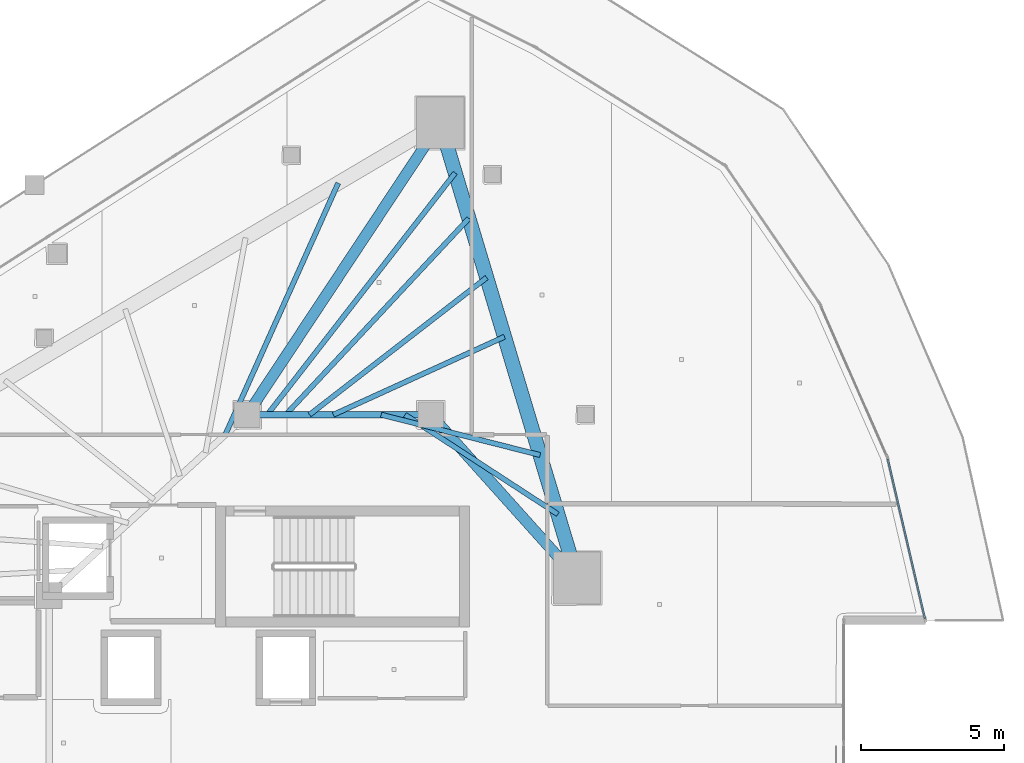
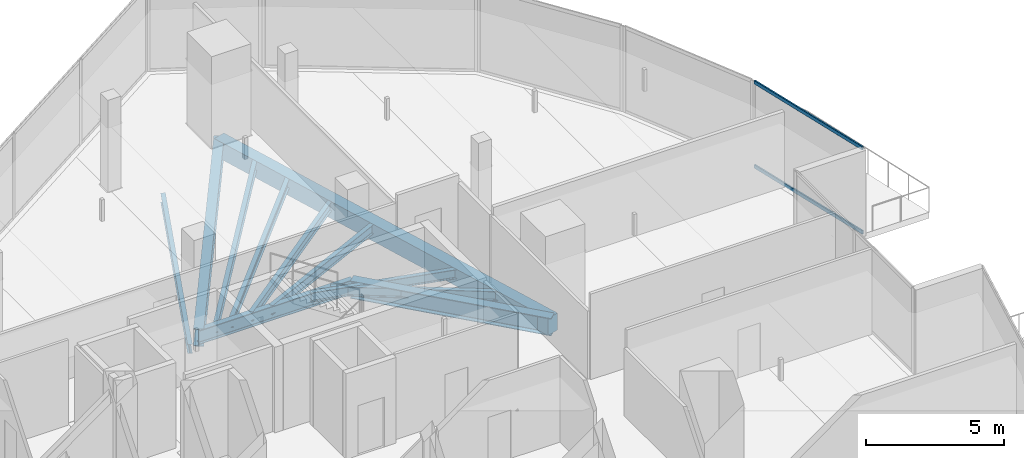
# One storey, part 17 of 30: 11 beams, 2 members, 1 element without a shape of its own.
"""IFC4 building model written with IfcOpenShell, lengths in metres."""

from ifc_helpers import new_model, si_unit, direction, frame, origin, origin_2d, place, context, subcontext, project, spatial, rectangle, hollow_rectangle, i_section, extrude, material, layer, layer_set, material_profile, profile_set, type_object, element, aggregate, save


model = new_model("IFC4")

# Units and contexts
model_context = context("Model", 3, precision=1e-05, world=origin(), true_north=direction((0.0, 1.0)))
body_context = subcontext(model_context, "Body", "Model", "MODEL_VIEW")
ifc_project = project(units=[si_unit("LENGTHUNIT", "METRE"), si_unit("AREAUNIT", "SQUARE_METRE"), si_unit("VOLUMEUNIT", "CUBIC_METRE"), si_unit("PLANEANGLEUNIT", "RADIAN"), si_unit("MASSUNIT", "GRAM", prefix="KILO")], contexts=[model_context])

# Site, building, storey
site_placement = place(None, origin())
site = spatial("IfcSite", under=ifc_project, at=site_placement, CompositionType="ELEMENT")
building_placement = place(site_placement, origin())
building = spatial("IfcBuilding", under=site, at=building_placement, Name="Qorvath Tower", CompositionType="ELEMENT")
storey_placement = place(building_placement, frame((0.0, 0.0, 217.199951171875)))
storey = spatial("IfcBuildingStorey", under=building, at=storey_placement, Name="L50", CompositionType="ELEMENT", Elevation=217.199951171875)

# Beams
ifc_material_1 = material(Name="Steel ASTM A992 Grade 50", Category="steel")
ifc_material_profile_1 = material_profile(ifc_material_1, i_section(OverallWidth=0.381103515625, OverallDepth=0.77294921875, WebThickness=0.0166015625, FlangeThickness=0.027099609375, FilletRadius=0.01904296875, at=origin_2d()), Name="W30x173")
ifc_profile_set_1 = profile_set([ifc_material_profile_1], Name="Steel ASTM A992 Grade 50")
beam_type_1 = type_object("IfcBeamType", Name="BM-FG3", PredefinedType="BEAM", material=ifc_profile_set_1)
beam_1_placement = place(storey_placement, frame((-23.60009765625, 11.449951171875, -0.656494140625), z_axis=(0.551500517741, 0.834174549439, 0.0), x_axis=(-0.834174549439, 0.551500517741, 0.0)))
element("IfcBeam", 1, at=beam_1_placement, inside=storey, type_object=beam_type_1, Name="Radial Floor Girder CC1-MC6 L50", PredefinedType="BEAM", context=body_context, shape_type="SweptSolid", body=[
    extrude(i_section(OverallWidth=0.381103515625, OverallDepth=0.77294921875, WebThickness=0.0166015625, FlangeThickness=0.027099609375, FilletRadius=0.01904296875, at=origin_2d()), origin(), (0.0, 0.0, 1.0), 12.200439453125),
])
beam_2_placement = place(storey_placement, frame((-17.199951171875, 11.449951171875, -0.656494140625), z_axis=(0.667543184261, -0.744571082669, 0.0), x_axis=(0.744571082669, 0.667543184261, 0.0)))
element("IfcBeam", 2, at=beam_2_placement, inside=storey, type_object=beam_type_1, Name="Radial Floor Girder CC2-MC5 L50", PredefinedType="BEAM", context=body_context, shape_type="SweptSolid", body=[
    extrude(i_section(OverallWidth=0.381103515625, OverallDepth=0.77294921875, WebThickness=0.0166015625, FlangeThickness=0.027099609375, FilletRadius=0.01904296875, at=origin_2d()), origin(), (0.0, 0.0, 1.0), 7.644775390625),
])
ifc_material_2 = material(Name="Steel ASTM A992 Grade 50", Category="steel")
ifc_material_profile_2 = material_profile(ifc_material_2, i_section(OverallWidth=0.22998046875, OverallDepth=0.616943359375, WebThickness=0.01318359375, FlangeThickness=0.022216796875, FilletRadius=0.014892578125, at=origin_2d()), Name="W24x94")
ifc_profile_set_2 = profile_set([ifc_material_profile_2], Name="Steel ASTM A992 Grade 50")
beam_type_2 = type_object("IfcBeamType", Name="BM-FG6", PredefinedType="BEAM", material=ifc_profile_set_2)
beam_3_placement = place(storey_placement, frame((-23.60009765625, 11.449951171875, -0.57861328125), z_axis=(1.0, 0.0, 0.0), x_axis=(0.0, 1.0, 0.0)))
element("IfcBeam", 3, at=beam_3_placement, inside=storey, type_object=beam_type_2, Name="Core Ring Girder CC1-CC2 L50", PredefinedType="BEAM", context=body_context, shape_type="SweptSolid", body=[
    extrude(i_section(OverallWidth=0.22998046875, OverallDepth=0.616943359375, WebThickness=0.01318359375, FlangeThickness=0.022216796875, FilletRadius=0.014892578125, at=origin_2d()), origin(), (0.0, 0.0, 1.0), 6.400146484375),
])
ifc_material_3 = material(Name="Steel ASTM A992 Grade 50", Category="steel")
ifc_material_profile_3 = material_profile(ifc_material_3, i_section(OverallWidth=0.177978515625, OverallDepth=0.406005859375, WebThickness=0.0078125, FlangeThickness=0.0126953125, FilletRadius=0.010986328125, at=origin_2d()), Name="W16x40")
ifc_profile_set_3 = profile_set([ifc_material_profile_3], Name="Steel ASTM A992 Grade 50")
beam_type_3 = type_object("IfcBeamType", Name="BM-FJ3", PredefinedType="JOIST", material=ifc_profile_set_3)
beam_4_placement = place(storey_placement, frame((-18.095947265625, 11.449951171875, -0.47314453125), z_axis=(0.838041756057, -0.545606098853, 0.0), x_axis=(0.545606098853, 0.838041756057, 0.0)))
element("IfcBeam", 4, at=beam_4_placement, inside=storey, type_object=beam_type_3, Name="Composite Floor Joist NE1 L50", PredefinedType="JOIST", context=body_context, shape_type="SweptSolid", body=[
    extrude(i_section(OverallWidth=0.177978515625, OverallDepth=0.406005859375, WebThickness=0.0078125, FlangeThickness=0.0126953125, FilletRadius=0.010986328125, at=origin_2d()), origin(), (0.0, 0.0, 1.0), 6.36083984375),
])
beam_5_placement = place(storey_placement, frame((-18.927978515625, 11.449951171875, -0.47314453125), z_axis=(0.969231577698, -0.246150662794, 0.0), x_axis=(0.246150662794, 0.969231577698, 0.0)))
element("IfcBeam", 5, at=beam_5_placement, inside=storey, type_object=beam_type_3, Name="Composite Floor Joist NE2 L50", PredefinedType="JOIST", context=body_context, shape_type="SweptSolid", body=[
    extrude(i_section(OverallWidth=0.177978515625, OverallDepth=0.406005859375, WebThickness=0.0078125, FlangeThickness=0.0126953125, FilletRadius=0.010986328125, at=origin_2d()), origin(), (0.0, 0.0, 1.0), 5.718017578125),
])
beam_6_placement = place(storey_placement, frame((-20.592041015625, 11.449951171875, -0.47314453125), z_axis=(0.909945081179, 0.414728765868, 0.0), x_axis=(-0.414728765868, 0.909945081179, 0.0)))
element("IfcBeam", 6, at=beam_6_placement, inside=storey, type_object=beam_type_3, Name="Composite Floor Joist NE4 L50", PredefinedType="JOIST", context=body_context, shape_type="SweptSolid", body=[
    extrude(i_section(OverallWidth=0.177978515625, OverallDepth=0.406005859375, WebThickness=0.0078125, FlangeThickness=0.0126953125, FilletRadius=0.010986328125, at=origin_2d()), origin(), (0.0, 0.0, 1.0), 6.554931640625),
])
beam_7_placement = place(storey_placement, frame((-21.424072265625, 11.449951171875, -0.47314453125), z_axis=(0.790693445503, 0.612212279555, 0.0), x_axis=(-0.612212279555, 0.790693445503, 0.0)))
element("IfcBeam", 7, at=beam_7_placement, inside=storey, type_object=beam_type_3, Name="Composite Floor Joist NE5 L50", PredefinedType="JOIST", context=body_context, shape_type="SweptSolid", body=[
    extrude(i_section(OverallWidth=0.177978515625, OverallDepth=0.406005859375, WebThickness=0.0078125, FlangeThickness=0.0126953125, FilletRadius=0.010986328125, at=origin_2d()), origin(), (0.0, 0.0, 1.0), 7.810546875),
])
beam_8_placement = place(storey_placement, frame((-22.256103515625, 11.449951171875, -0.47314453125), z_axis=(0.682249490937, 0.731119437654, 0.0), x_axis=(-0.731119437654, 0.682249490937, 0.0)))
element("IfcBeam", 8, at=beam_8_placement, inside=storey, type_object=beam_type_3, Name="Composite Floor Joist NE6 L50", PredefinedType="JOIST", context=body_context, shape_type="SweptSolid", body=[
    extrude(i_section(OverallWidth=0.177978515625, OverallDepth=0.406005859375, WebThickness=0.0078125, FlangeThickness=0.0126953125, FilletRadius=0.010986328125, at=origin_2d()), origin(), (0.0, 0.0, 1.0), 9.362060546875),
])
beam_9_placement = place(storey_placement, frame((-22.89599609375, 11.449951171875, -0.47314453125), z_axis=(0.61345131907, 0.789732536452, 0.0), x_axis=(-0.789732536452, 0.61345131907, 0.0)))
element("IfcBeam", 9, at=beam_9_placement, inside=storey, type_object=beam_type_3, Name="Composite Floor Joist NE7 L50", PredefinedType="JOIST", context=body_context, shape_type="SweptSolid", body=[
    extrude(i_section(OverallWidth=0.177978515625, OverallDepth=0.406005859375, WebThickness=0.0078125, FlangeThickness=0.0126953125, FilletRadius=0.010986328125, at=origin_2d()), origin(), (0.0, 0.0, 1.0), 10.676513671875),
])
beam_10_placement = place(storey_placement, frame((-24.35888671875, 10.757080078125, -0.47314453125), z_axis=(0.409327209141, 0.912387656568, 0.0), x_axis=(-0.912387656568, 0.409327209141, 0.0)))
element("IfcBeam", 10, at=beam_10_placement, inside=storey, type_object=beam_type_3, Name="Composite Floor Joist NW7 L50", PredefinedType="JOIST", context=body_context, shape_type="SweptSolid", body=[
    extrude(i_section(OverallWidth=0.177978515625, OverallDepth=0.406005859375, WebThickness=0.0078125, FlangeThickness=0.0126953125, FilletRadius=0.010986328125, at=origin_2d()), origin(), (0.0, 0.0, 1.0), 9.611083984375),
])
ifc_material_4 = material(Name="Concrete C45/55", Category="concrete")
ifc_material_profile_4 = material_profile(ifc_material_4, rectangle(XDim=0.5, YDim=0.75, at=origin_2d()), Name="RCB 750x500")
ifc_profile_set_4 = profile_set([ifc_material_profile_4], Name="Concrete C45/55")
beam_type_4 = type_object("IfcBeamType", Name="BM-RCB3", PredefinedType="SPANDREL", material=ifc_profile_set_4)
beam_11_placement = place(storey_placement, frame((-12.0966796875, 5.7578125, -0.64501953125), z_axis=(-0.28812763802, 0.957592013443, 0.0), x_axis=(-0.957592013443, -0.28812763802, 0.0)))
element("IfcBeam", 11, at=beam_11_placement, inside=storey, type_object=beam_type_4, Name="Perimeter Loggia Frame Beam MC5-MC6 L50", PredefinedType="SPANDREL", context=body_context, shape_type="SweptSolid", body=[
    extrude(rectangle(XDim=0.5, YDim=0.75, at=origin_2d()), origin(), (0.0, 0.0, 1.0), 16.572265625),
])

# Curtain wall, members
ifc_material_5 = material(Name="Anodised aluminium and triple low-E glass", Category="aluminium")
ifc_layer = layer(ifc_material_5, 0.179931640625)
ifc_layer_set = layer_set([ifc_layer], Name="CW-SYS-3")
curtain_wall_type = type_object("IfcCurtainWallType", Name="CW-SYS-3", PredefinedType="NOTDEFINED", material=ifc_layer_set)
curtain_wall_placement = place(storey_placement, origin())
curtain_wall = element("IfcCurtainWall", 12, at=curtain_wall_placement, inside=storey, type_object=curtain_wall_type, Name="Curtain Wall CW-3 CW-T-L50-11.1", PredefinedType="NOTDEFINED")
ifc_material_6 = material(Name="Anodised aluminium 6063-T6", Category="aluminium")
ifc_material_profile_5 = material_profile(ifc_material_6, hollow_rectangle(XDim=0.06494140625, YDim=0.159912109375, WallThickness=0.00341796875, InnerFilletRadius=0.00341796875, OuterFilletRadius=0.007080078125, at=origin_2d()), Name="CWT 160x65")
ifc_profile_set_5 = profile_set([ifc_material_profile_5], Name="Anodised aluminium 6063-T6")
member_type = type_object("IfcMemberType", Name="CWT-160", PredefinedType="USERDEFINED", material=ifc_profile_set_5)
member_1_placement = place(storey_placement, frame((0.034912109375, 4.340087890625, 0.032470703125), z_axis=(-0.226959424522, 0.973904214808, 0.0), x_axis=(-0.973904214808, -0.226959424522, 0.0)))
member_1 = element("IfcMember", 13, at=member_1_placement, type_object=member_type, Name="CW-3 transom 1.1", ObjectType="TRANSOM", PredefinedType="USERDEFINED", context=body_context, shape_type="SweptSolid", body=[
    extrude(hollow_rectangle(XDim=0.06494140625, YDim=0.159912109375, WallThickness=0.00341796875, InnerFilletRadius=0.00341796875, OuterFilletRadius=0.007080078125, at=origin_2d()), origin(), (0.0, 0.0, 1.0), 5.713134765625),
])
member_2_placement = place(storey_placement, frame((0.034912109375, 4.340087890625, 3.74755859375), z_axis=(-0.226959424522, 0.973904214808, 0.0), x_axis=(-0.973904214808, -0.226959424522, 0.0)))
member_2 = element("IfcMember", 14, at=member_2_placement, type_object=member_type, Name="CW-3 transom 1.2", ObjectType="TRANSOM", PredefinedType="USERDEFINED", context=body_context, shape_type="SweptSolid", body=[
    extrude(hollow_rectangle(XDim=0.06494140625, YDim=0.159912109375, WallThickness=0.00341796875, InnerFilletRadius=0.00341796875, OuterFilletRadius=0.007080078125, at=origin_2d()), origin(), (0.0, 0.0, 1.0), 5.713134765625),
])
aggregate(curtain_wall, [member_1, member_2])

save(model, "model.ifc")
